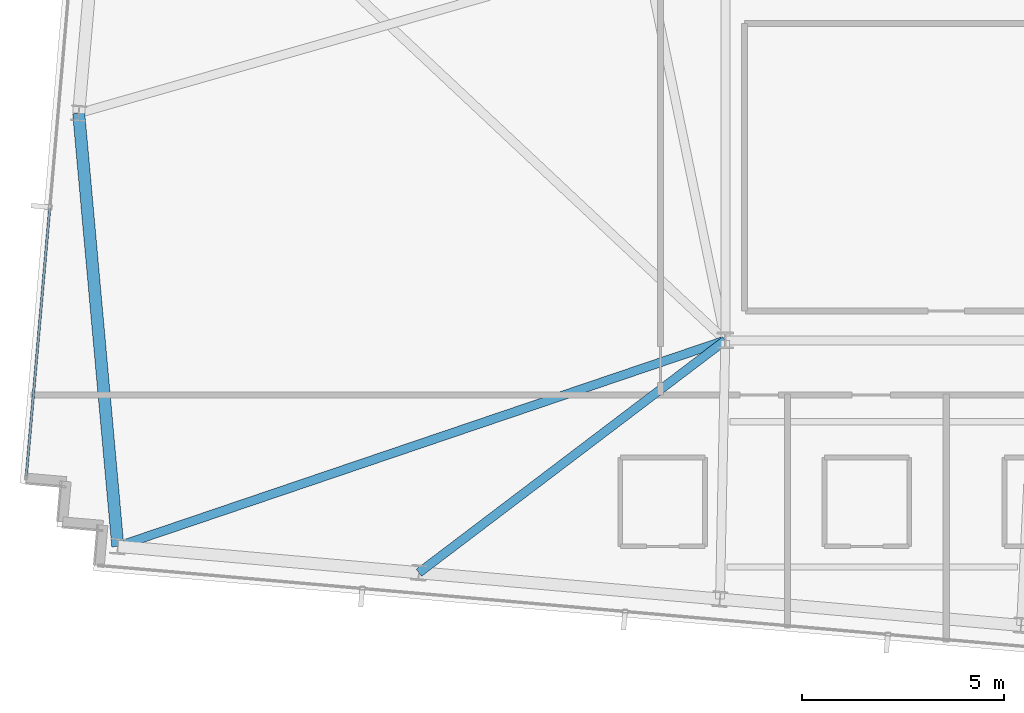
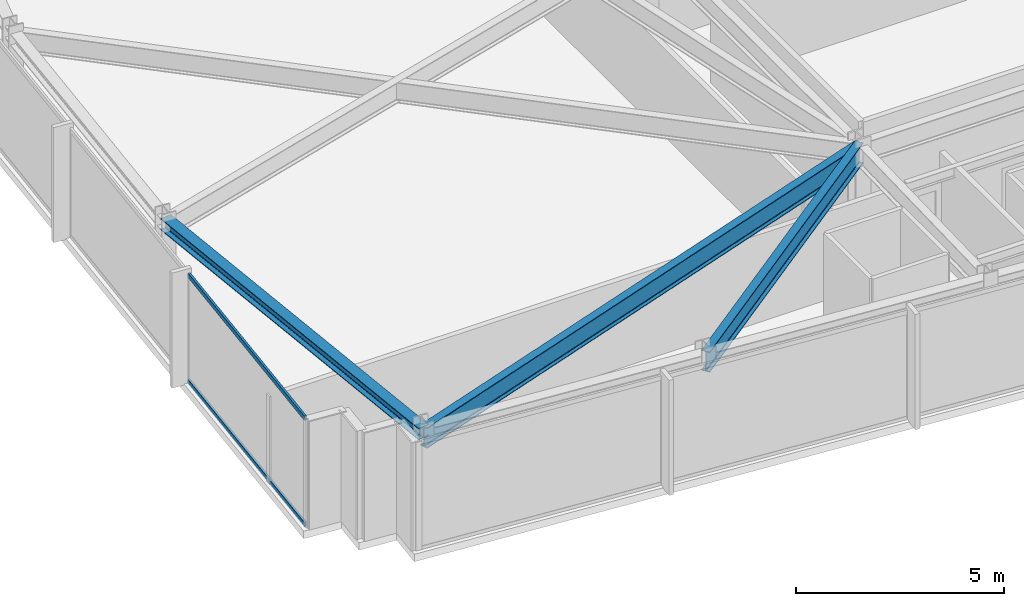
# One storey, part 4 of 33: 3 beams, 2 members, 1 element without a shape of its own.
"""IFC4 building model written with IfcOpenShell, lengths in metres."""

from ifc_helpers import new_model, si_unit, direction, frame, origin, origin_2d, place, context, subcontext, project, spatial, hollow_rectangle, i_section, extrude, material, material_profile, profile_set, type_object, element, aggregate, save


model = new_model("IFC4")

# Units and contexts
model_context = context("Model", 3, precision=1e-05, world=origin(), true_north=direction((0.0, 1.0)))
body_context = subcontext(model_context, "Body", "Model", "MODEL_VIEW")
ifc_project = project(units=[si_unit("LENGTHUNIT", "METRE"), si_unit("AREAUNIT", "SQUARE_METRE"), si_unit("VOLUMEUNIT", "CUBIC_METRE"), si_unit("PLANEANGLEUNIT", "RADIAN"), si_unit("MASSUNIT", "GRAM", prefix="KILO")], contexts=[model_context])

# Site, building, storey
site_placement = place(None, origin())
site = spatial("IfcSite", under=ifc_project, at=site_placement, CompositionType="ELEMENT")
building_placement = place(site_placement, origin())
building = spatial("IfcBuilding", under=site, at=building_placement, Name="Yelkora Congress Tower", CompositionType="ELEMENT")
storey_placement = place(building_placement, frame((0.0, 0.0, 286.300048828125)))
storey = spatial("IfcBuildingStorey", under=building, at=storey_placement, Name="L80", CompositionType="ELEMENT", Elevation=286.300048828125)

# Beams
ifc_material_1 = material(Name="Steel S355J2", Category="steel")
ifc_material_profile_1 = material_profile(ifc_material_1, i_section(OverallWidth=0.219970703125, OverallDepth=0.60009765625, WebThickness=0.011962890625, FlangeThickness=0.01904296875, FilletRadius=0.02392578125, at=origin_2d()), Name="IPE 600")
ifc_profile_set_1 = profile_set([ifc_material_profile_1], Name="Steel S355J2")
beam_type_1 = type_object("IfcBeamType", Name="BM-GIRD-IPE600", PredefinedType="BEAM", material=ifc_profile_set_1)
beam_1_placement = place(storey_placement, frame((7.998046875, 20.097900390625, 2.8798828125), z_axis=(0.947007090502, 0.321212656257, 0.0), x_axis=(-0.321212656257, 0.947007090502, 0.0)))
element("IfcBeam", 1, at=beam_1_placement, inside=storey, type_object=beam_type_1, Name="L80 Primary Frame Girder S01", PredefinedType="BEAM", context=body_context, shape_type="SweptSolid", body=[
    extrude(i_section(OverallWidth=0.219970703125, OverallDepth=0.60009765625, WebThickness=0.011962890625, FlangeThickness=0.01904296875, FilletRadius=0.02392578125, at=origin_2d()), origin(), (0.0, 0.0, 1.0), 15.8837890625),
])
beam_2_placement = place(storey_placement, frame((15.452880859375, 19.445556640625, 2.8798828125), z_axis=(0.79676107913, 0.6042944504, 0.0), x_axis=(-0.6042944504, 0.79676107913, 0.0)))
element("IfcBeam", 2, at=beam_2_placement, inside=storey, type_object=beam_type_1, Name="L80 Primary Frame Girder S02", PredefinedType="BEAM", context=body_context, shape_type="SweptSolid", body=[
    extrude(i_section(OverallWidth=0.219970703125, OverallDepth=0.60009765625, WebThickness=0.011962890625, FlangeThickness=0.01904296875, FilletRadius=0.02392578125, at=origin_2d()), origin(), (0.0, 0.0, 1.0), 9.5224609375),
])
ifc_material_profile_2 = material_profile(ifc_material_1, i_section(OverallWidth=0.300048828125, OverallDepth=0.340087890625, WebThickness=0.011962890625, FlangeThickness=0.021484375, FilletRadius=0.027099609375, at=origin_2d()), Name="HEB 340")
ifc_profile_set_2 = profile_set([ifc_material_profile_2], Name="Steel S355J2")
beam_type_2 = type_object("IfcBeamType", Name="BM-SPAN-HEB340", PredefinedType="SPANDREL", material=ifc_profile_set_2)
beam_3_placement = place(storey_placement, frame((7.029052734375, 30.822998046875, 3.010009765625), z_axis=(0.08998177561, -0.995943412076, 0.0), x_axis=(0.995943412076, 0.08998177561, 0.0)))
element("IfcBeam", 3, at=beam_3_placement, inside=storey, type_object=beam_type_2, Name="L80 Perimeter Beam 15", PredefinedType="SPANDREL", context=body_context, shape_type="SweptSolid", body=[
    extrude(i_section(OverallWidth=0.300048828125, OverallDepth=0.340087890625, WebThickness=0.011962890625, FlangeThickness=0.021484375, FilletRadius=0.027099609375, at=origin_2d()), origin(), (0.0, 0.0, 1.0), 10.768798828125),
])

# Curtain wall, members
ifc_material_2 = material(Name="Anodised aluminium and insulated glass", Category="aluminium")
curtain_wall_type = type_object("IfcCurtainWallType", Name="CW-SYS-B5", PredefinedType="NOTDEFINED", material=ifc_material_2)
curtain_wall_placement = place(storey_placement, origin())
curtain_wall = element("IfcCurtainWall", 4, at=curtain_wall_placement, inside=storey, type_object=curtain_wall_type, Name="L80 Unitised Curtain Wall 5", PredefinedType="NOTDEFINED")
ifc_material_3 = material(Name="Anodised aluminium 6063-T6", Category="aluminium")
ifc_material_profile_3 = material_profile(ifc_material_3, hollow_rectangle(XDim=0.06005859375, YDim=0.1298828125, WallThickness=0.00390625, at=origin_2d()), Name="ALU 60x130x4")
ifc_profile_set_3 = profile_set([ifc_material_profile_3], Name="Anodised aluminium 6063-T6")
member_type = type_object("IfcMemberType", Name="MEM-TR-B5", PredefinedType="USERDEFINED", material=ifc_profile_set_3)
member_1_placement = place(storey_placement, frame((5.732666015625, 21.85693359375, 0.030029296875), z_axis=(0.08716649365, 0.996193757451, 0.0), x_axis=(-0.996193757451, 0.08716649365, 0.0)))
member_1 = element("IfcMember", 5, at=member_1_placement, type_object=member_type, Name="CW-B5 transom 1.1", ObjectType="TRANSOM", PredefinedType="USERDEFINED", context=body_context, shape_type="SweptSolid", body=[
    extrude(hollow_rectangle(XDim=0.06005859375, YDim=0.1298828125, WallThickness=0.00390625, at=origin_2d()), origin(), (0.0, 0.0, 1.0), 6.63232421875),
])
member_2_placement = place(storey_placement, frame((5.732666015625, 21.85693359375, 3.14990234375), z_axis=(0.08716649365, 0.996193757451, 0.0), x_axis=(-0.996193757451, 0.08716649365, 0.0)))
member_2 = element("IfcMember", 6, at=member_2_placement, type_object=member_type, Name="CW-B5 transom 1.2", ObjectType="TRANSOM", PredefinedType="USERDEFINED", context=body_context, shape_type="SweptSolid", body=[
    extrude(hollow_rectangle(XDim=0.06005859375, YDim=0.1298828125, WallThickness=0.00390625, at=origin_2d()), origin(), (0.0, 0.0, 1.0), 6.63232421875),
])
aggregate(curtain_wall, [member_1, member_2])

save(model, "model.ifc")
